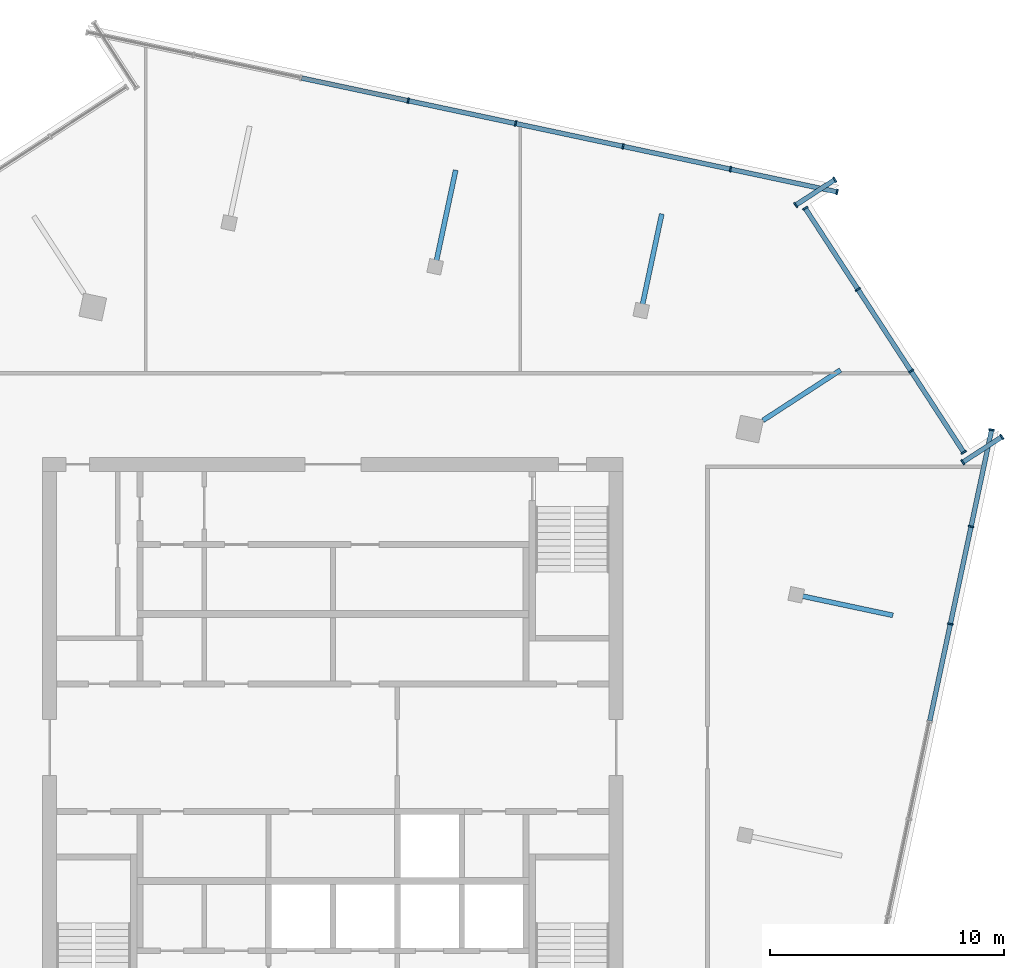
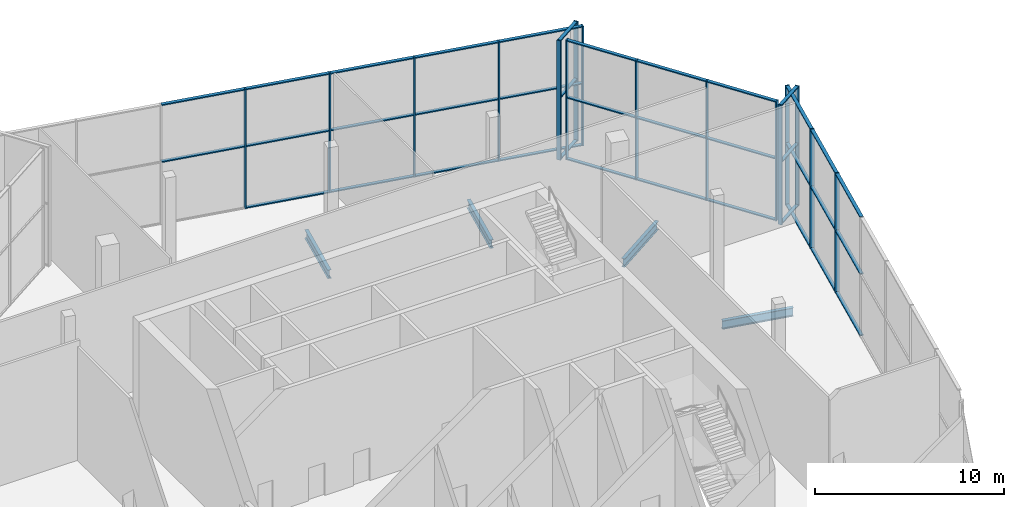
# One storey, part 6 of 14: 54 members, 4 beams, 5 elements without a shape of their own.
"""IFC4 building model written with IfcOpenShell, lengths in metres."""

from ifc_helpers import new_model, si_unit, direction, frame, origin, origin_2d, place, context, subcontext, project, spatial, rectangle, i_section, extrude, material, material_profile, profile_set, type_object, element, aggregate, save


model = new_model("IFC4")

# Units and contexts
model_context = context("Model", 3, precision=1e-05, world=origin(), true_north=direction((0.0, 1.0)))
body_context = subcontext(model_context, "Body", "Model", "MODEL_VIEW")
ifc_project = project(units=[si_unit("LENGTHUNIT", "METRE"), si_unit("AREAUNIT", "SQUARE_METRE"), si_unit("VOLUMEUNIT", "CUBIC_METRE"), si_unit("PLANEANGLEUNIT", "RADIAN"), si_unit("MASSUNIT", "GRAM", prefix="KILO")], contexts=[model_context])

# Site, building, storey
site_placement = place(None, origin())
site = spatial("IfcSite", under=ifc_project, at=site_placement, CompositionType="ELEMENT")
building_placement = place(site_placement, origin())
building = spatial("IfcBuilding", under=site, at=building_placement, Name="Dilmun Exchange Tower", CompositionType="ELEMENT")
storey_placement = place(building_placement, frame((0.0, 0.0, 350.10009765625)))
storey = spatial("IfcBuildingStorey", under=building, at=storey_placement, Name="Crown L83", CompositionType="ELEMENT", Elevation=350.10009765625)

# Curtain wall, members
ifc_material_1 = material(Name="Anodised aluminium and clear glass", Category="aluminium")
curtain_wall_type = type_object("IfcCurtainWallType", Name="Damper floor glazing", PredefinedType="NOTDEFINED", material=ifc_material_1)
curtain_wall_1_placement = place(storey_placement, origin())
curtain_wall_1 = element("IfcCurtainWall", 1, at=curtain_wall_1_placement, inside=storey, type_object=curtain_wall_type, Name="Damper floor glazing run DG7", PredefinedType="NOTDEFINED")
ifc_material_2 = material(Name="Anodised aluminium", Category="aluminium")
ifc_material_profile_1 = material_profile(ifc_material_2, rectangle(XDim=0.239990234375, YDim=0.070068359375, at=origin_2d()), Name="AL 70x240")
ifc_profile_set_1 = profile_set([ifc_material_profile_1], Name="Anodised aluminium")
member_type_1 = type_object("IfcMemberType", Name="Damper floor glazing mullion 70 x 240", PredefinedType="MULLION", material=ifc_profile_set_1)
member_1_placement = place(storey_placement, frame((26.37353515625, 5.277099609375, 0.0), z_axis=(0.0, 0.0, 1.0), x_axis=(-0.978147396203, 0.207912653058, 0.0)))
member_1 = element("IfcMember", 2, at=member_1_placement, type_object=member_type_1, Name="DG7 mullion 8", PredefinedType="MULLION", context=body_context, shape_type="SweptSolid", body=[
    extrude(rectangle(XDim=0.239990234375, YDim=0.070068359375, at=origin_2d()), origin(), (0.0, 0.0, 1.0), 7.699951171875),
])
member_2_placement = place(storey_placement, frame((27.2587890625, 9.44189453125, 0.0), z_axis=(0.0, 0.0, 1.0), x_axis=(-0.978147396203, 0.207912653058, 0.0)))
member_2 = element("IfcMember", 3, at=member_2_placement, type_object=member_type_1, Name="DG7 mullion 9", PredefinedType="MULLION", context=body_context, shape_type="SweptSolid", body=[
    extrude(rectangle(XDim=0.239990234375, YDim=0.070068359375, at=origin_2d()), origin(), (0.0, 0.0, 1.0), 7.699951171875),
])
member_3_placement = place(storey_placement, frame((28.13671875, 13.57275390625, 0.0), z_axis=(0.0, 0.0, 1.0), x_axis=(-0.978147396203, 0.207912653058, 0.0)))
member_3 = element("IfcMember", 4, at=member_3_placement, type_object=member_type_1, Name="DG7 mullion 10", PredefinedType="MULLION", context=body_context, shape_type="SweptSolid", body=[
    extrude(rectangle(XDim=0.239990234375, YDim=0.070068359375, at=origin_2d()), origin(), (0.0, 0.0, 1.0), 7.699951171875),
])

curtain_wall_2_placement = place(storey_placement, origin())
curtain_wall_2 = element("IfcCurtainWall", 5, at=curtain_wall_2_placement, inside=storey, type_object=curtain_wall_type, Name="Damper floor glazing run DG8", PredefinedType="NOTDEFINED")
member_4_placement = place(storey_placement, frame((28.571533203125, 13.27392578125, 0.0), z_axis=(0.0, 0.0, 1.0), x_axis=(0.544653402669, -0.838661237307, 0.0)))
member_4 = element("IfcMember", 6, at=member_4_placement, type_object=member_type_1, Name="DG8 mullion 1", PredefinedType="MULLION", context=body_context, shape_type="SweptSolid", body=[
    extrude(rectangle(XDim=0.239990234375, YDim=0.070068359375, at=origin_2d()), origin(), (0.0, 0.0, 1.0), 7.699951171875),
])
member_5_placement = place(storey_placement, frame((26.905029296875, 12.191650390625, 0.0), z_axis=(0.0, 0.0, 1.0), x_axis=(0.544653402669, -0.838661237307, 0.0)))
member_5 = element("IfcMember", 7, at=member_5_placement, type_object=member_type_1, Name="DG8 mullion 2", PredefinedType="MULLION", context=body_context, shape_type="SweptSolid", body=[
    extrude(rectangle(XDim=0.239990234375, YDim=0.070068359375, at=origin_2d()), origin(), (0.0, 0.0, 1.0), 7.699951171875),
])

curtain_wall_3_placement = place(storey_placement, origin())
curtain_wall_3 = element("IfcCurtainWall", 8, at=curtain_wall_3_placement, inside=storey, type_object=curtain_wall_type, Name="Damper floor glazing run DG9", PredefinedType="NOTDEFINED")
member_6_placement = place(storey_placement, frame((26.94482421875, 12.616943359375, 0.0), z_axis=(0.0, 0.0, 1.0), x_axis=(-0.838668178887, -0.544642713825, 0.0)))
member_6 = element("IfcMember", 9, at=member_6_placement, type_object=member_type_1, Name="DG9 mullion 1", PredefinedType="MULLION", context=body_context, shape_type="SweptSolid", body=[
    extrude(rectangle(XDim=0.239990234375, YDim=0.070068359375, at=origin_2d()), origin(), (0.0, 0.0, 1.0), 7.699951171875),
])
member_7_placement = place(storey_placement, frame((24.694580078125, 16.08203125, 0.0), z_axis=(0.0, 0.0, 1.0), x_axis=(-0.838668178887, -0.544642713825, 0.0)))
member_7 = element("IfcMember", 10, at=member_7_placement, type_object=member_type_1, Name="DG9 mullion 2", PredefinedType="MULLION", context=body_context, shape_type="SweptSolid", body=[
    extrude(rectangle(XDim=0.239990234375, YDim=0.070068359375, at=origin_2d()), origin(), (0.0, 0.0, 1.0), 7.699951171875),
])
member_8_placement = place(storey_placement, frame((22.42529296875, 19.57666015625, 0.0), z_axis=(0.0, 0.0, 1.0), x_axis=(-0.838668178887, -0.544642713825, 0.0)))
member_8 = element("IfcMember", 11, at=member_8_placement, type_object=member_type_1, Name="DG9 mullion 3", PredefinedType="MULLION", context=body_context, shape_type="SweptSolid", body=[
    extrude(rectangle(XDim=0.239990234375, YDim=0.070068359375, at=origin_2d()), origin(), (0.0, 0.0, 1.0), 7.699951171875),
])
member_9_placement = place(storey_placement, frame((20.175048828125, 23.041748046875, 0.0), z_axis=(0.0, 0.0, 1.0), x_axis=(-0.838668178887, -0.544642713825, 0.0)))
member_9 = element("IfcMember", 12, at=member_9_placement, type_object=member_type_1, Name="DG9 mullion 4", PredefinedType="MULLION", context=body_context, shape_type="SweptSolid", body=[
    extrude(rectangle(XDim=0.239990234375, YDim=0.070068359375, at=origin_2d()), origin(), (0.0, 0.0, 1.0), 7.699951171875),
])

curtain_wall_4_placement = place(storey_placement, origin())
curtain_wall_4 = element("IfcCurtainWall", 13, at=curtain_wall_4_placement, inside=storey, type_object=curtain_wall_type, Name="Damper floor glazing run DG10", PredefinedType="NOTDEFINED")
member_10_placement = place(storey_placement, frame((19.770263671875, 23.178466796875, 0.0), z_axis=(0.0, 0.0, 1.0), x_axis=(-0.544619209645, 0.838683442358, 0.0)))
member_10 = element("IfcMember", 14, at=member_10_placement, type_object=member_type_1, Name="DG10 mullion 1", PredefinedType="MULLION", context=body_context, shape_type="SweptSolid", body=[
    extrude(rectangle(XDim=0.239990234375, YDim=0.070068359375, at=origin_2d()), origin(), (0.0, 0.0, 1.0), 7.699951171875),
])
member_11_placement = place(storey_placement, frame((21.436767578125, 24.260498046875, 0.0), z_axis=(0.0, 0.0, 1.0), x_axis=(-0.544619209645, 0.838683442358, 0.0)))
member_11 = element("IfcMember", 15, at=member_11_placement, type_object=member_type_1, Name="DG10 mullion 2", PredefinedType="MULLION", context=body_context, shape_type="SweptSolid", body=[
    extrude(rectangle(XDim=0.239990234375, YDim=0.070068359375, at=origin_2d()), origin(), (0.0, 0.0, 1.0), 7.699951171875),
])

curtain_wall_5_placement = place(storey_placement, origin())
curtain_wall_5 = element("IfcCurtainWall", 16, at=curtain_wall_5_placement, inside=storey, type_object=curtain_wall_type, Name="Damper floor glazing run DG11", PredefinedType="NOTDEFINED")
member_12_placement = place(storey_placement, frame((21.532958984375, 23.741943359375, 0.0), z_axis=(0.0, 0.0, 1.0), x_axis=(-0.20791117371, -0.978147710648, 0.0)))
member_12 = element("IfcMember", 17, at=member_12_placement, type_object=member_type_1, Name="DG11 mullion 1", PredefinedType="MULLION", context=body_context, shape_type="SweptSolid", body=[
    extrude(rectangle(XDim=0.239990234375, YDim=0.070068359375, at=origin_2d()), origin(), (0.0, 0.0, 1.0), 7.699951171875),
])
member_13_placement = place(storey_placement, frame((16.979248046875, 24.709716796875, 0.0), z_axis=(0.0, 0.0, 1.0), x_axis=(-0.20791117371, -0.978147710648, 0.0)))
member_13 = element("IfcMember", 18, at=member_13_placement, type_object=member_type_1, Name="DG11 mullion 2", PredefinedType="MULLION", context=body_context, shape_type="SweptSolid", body=[
    extrude(rectangle(XDim=0.239990234375, YDim=0.070068359375, at=origin_2d()), origin(), (0.0, 0.0, 1.0), 7.699951171875),
])
member_14_placement = place(storey_placement, frame((12.391357421875, 25.68505859375, 0.0), z_axis=(0.0, 0.0, 1.0), x_axis=(-0.20791117371, -0.978147710648, 0.0)))
member_14 = element("IfcMember", 19, at=member_14_placement, type_object=member_type_1, Name="DG11 mullion 3", PredefinedType="MULLION", context=body_context, shape_type="SweptSolid", body=[
    extrude(rectangle(XDim=0.239990234375, YDim=0.070068359375, at=origin_2d()), origin(), (0.0, 0.0, 1.0), 7.699951171875),
])
member_15_placement = place(storey_placement, frame((7.803466796875, 26.66015625, 0.0), z_axis=(0.0, 0.0, 1.0), x_axis=(-0.20791117371, -0.978147710648, 0.0)))
member_15 = element("IfcMember", 20, at=member_15_placement, type_object=member_type_1, Name="DG11 mullion 4", PredefinedType="MULLION", context=body_context, shape_type="SweptSolid", body=[
    extrude(rectangle(XDim=0.239990234375, YDim=0.070068359375, at=origin_2d()), origin(), (0.0, 0.0, 1.0), 7.699951171875),
])
member_16_placement = place(storey_placement, frame((3.215576171875, 27.63525390625, 0.0), z_axis=(0.0, 0.0, 1.0), x_axis=(-0.20791117371, -0.978147710648, 0.0)))
member_16 = element("IfcMember", 21, at=member_16_placement, type_object=member_type_1, Name="DG11 mullion 5", PredefinedType="MULLION", context=body_context, shape_type="SweptSolid", body=[
    extrude(rectangle(XDim=0.239990234375, YDim=0.070068359375, at=origin_2d()), origin(), (0.0, 0.0, 1.0), 7.699951171875),
])

# Member
ifc_material_profile_2 = material_profile(ifc_material_2, rectangle(XDim=0.199951171875, YDim=0.070068359375, at=origin_2d()), Name="AL 70x200")
ifc_profile_set_2 = profile_set([ifc_material_profile_2], Name="Anodised aluminium")
member_type_2 = type_object("IfcMemberType", Name="Damper floor glazing transom 70 x 200", PredefinedType="USERDEFINED", material=ifc_profile_set_2)
member_17_placement = place(storey_placement, frame((25.495361328125, 1.146240234375, 0.034912109375), z_axis=(0.207940328818, 0.978141513101, 0.0), x_axis=(-0.978141513101, 0.207940328818, 0.0)))
member_17 = element("IfcMember", 22, at=member_17_placement, type_object=member_type_2, Name="DG7 transom 7.1", ObjectType="TRANSOM", PredefinedType="USERDEFINED", context=body_context, shape_type="SweptSolid", body=[
    extrude(rectangle(XDim=0.199951171875, YDim=0.070068359375, at=origin_2d()), origin(), (0.0, 0.0, 1.0), 4.18798828125),
])

member_18_placement = place(storey_placement, frame((25.495361328125, 1.146240234375, 4.0), z_axis=(0.207940328818, 0.978141513101, 0.0), x_axis=(-0.978141513101, 0.207940328818, 0.0)))
member_18 = element("IfcMember", 23, at=member_18_placement, type_object=member_type_2, Name="DG7 transom 7.2", ObjectType="TRANSOM", PredefinedType="USERDEFINED", context=body_context, shape_type="SweptSolid", body=[
    extrude(rectangle(XDim=0.199951171875, YDim=0.070068359375, at=origin_2d()), origin(), (0.0, 0.0, 1.0), 4.18798828125),
])

member_19_placement = place(storey_placement, frame((25.495361328125, 1.146240234375, 7.664794921875), z_axis=(0.207940328818, 0.978141513101, 0.0), x_axis=(-0.978141513101, 0.207940328818, 0.0)))
member_19 = element("IfcMember", 24, at=member_19_placement, type_object=member_type_2, Name="DG7 transom 7.3", ObjectType="TRANSOM", PredefinedType="USERDEFINED", context=body_context, shape_type="SweptSolid", body=[
    extrude(rectangle(XDim=0.199951171875, YDim=0.070068359375, at=origin_2d()), origin(), (0.0, 0.0, 1.0), 4.18798828125),
])

member_20_placement = place(storey_placement, frame((26.380859375, 5.311279296875, 0.034912109375), z_axis=(0.207884552878, 0.978153368688, 0.0), x_axis=(-0.978153368688, 0.207884552878, 0.0)))
member_20 = element("IfcMember", 25, at=member_20_placement, type_object=member_type_2, Name="DG7 transom 8.1", ObjectType="TRANSOM", PredefinedType="USERDEFINED", context=body_context, shape_type="SweptSolid", body=[
    extrude(rectangle(XDim=0.199951171875, YDim=0.070068359375, at=origin_2d()), origin(), (0.0, 0.0, 1.0), 4.18798828125),
])

member_21_placement = place(storey_placement, frame((26.380859375, 5.311279296875, 4.0), z_axis=(0.207884552878, 0.978153368688, 0.0), x_axis=(-0.978153368688, 0.207884552878, 0.0)))
member_21 = element("IfcMember", 26, at=member_21_placement, type_object=member_type_2, Name="DG7 transom 8.2", ObjectType="TRANSOM", PredefinedType="USERDEFINED", context=body_context, shape_type="SweptSolid", body=[
    extrude(rectangle(XDim=0.199951171875, YDim=0.070068359375, at=origin_2d()), origin(), (0.0, 0.0, 1.0), 4.18798828125),
])

member_22_placement = place(storey_placement, frame((26.380859375, 5.311279296875, 7.664794921875), z_axis=(0.207884552878, 0.978153368688, 0.0), x_axis=(-0.978153368688, 0.207884552878, 0.0)))
member_22 = element("IfcMember", 27, at=member_22_placement, type_object=member_type_2, Name="DG7 transom 8.3", ObjectType="TRANSOM", PredefinedType="USERDEFINED", context=body_context, shape_type="SweptSolid", body=[
    extrude(rectangle(XDim=0.199951171875, YDim=0.070068359375, at=origin_2d()), origin(), (0.0, 0.0, 1.0), 4.18798828125),
])

member_23_placement = place(storey_placement, frame((27.26611328125, 9.476318359375, 0.034912109375), z_axis=(0.20792695404, 0.978144356311, 0.0), x_axis=(-0.978144356311, 0.20792695404, 0.0)))
member_23 = element("IfcMember", 28, at=member_23_placement, type_object=member_type_2, Name="DG7 transom 9.1", ObjectType="TRANSOM", PredefinedType="USERDEFINED", context=body_context, shape_type="SweptSolid", body=[
    extrude(rectangle(XDim=0.199951171875, YDim=0.070068359375, at=origin_2d()), origin(), (0.0, 0.0, 1.0), 4.153076171875),
])

member_24_placement = place(storey_placement, frame((27.26611328125, 9.476318359375, 4.0), z_axis=(0.20792695404, 0.978144356311, 0.0), x_axis=(-0.978144356311, 0.20792695404, 0.0)))
member_24 = element("IfcMember", 29, at=member_24_placement, type_object=member_type_2, Name="DG7 transom 9.2", ObjectType="TRANSOM", PredefinedType="USERDEFINED", context=body_context, shape_type="SweptSolid", body=[
    extrude(rectangle(XDim=0.199951171875, YDim=0.070068359375, at=origin_2d()), origin(), (0.0, 0.0, 1.0), 4.153076171875),
])

member_25_placement = place(storey_placement, frame((27.26611328125, 9.476318359375, 7.664794921875), z_axis=(0.20792695404, 0.978144356311, 0.0), x_axis=(-0.978144356311, 0.20792695404, 0.0)))
member_25 = element("IfcMember", 30, at=member_25_placement, type_object=member_type_2, Name="DG7 transom 9.3", ObjectType="TRANSOM", PredefinedType="USERDEFINED", context=body_context, shape_type="SweptSolid", body=[
    extrude(rectangle(XDim=0.199951171875, YDim=0.070068359375, at=origin_2d()), origin(), (0.0, 0.0, 1.0), 4.153076171875),
])

aggregate(curtain_wall_1, [member_1, member_2, member_3, member_17, member_18, member_19, member_20, member_21, member_22, member_23, member_24, member_25])

member_26_placement = place(storey_placement, frame((28.542236328125, 13.2548828125, 0.034912109375), z_axis=(-0.838728640731, -0.544549600329, 0.0), x_axis=(0.544549600329, -0.838728640731, 0.0)))
member_26 = element("IfcMember", 31, at=member_26_placement, type_object=member_type_2, Name="DG8 transom 1.1", ObjectType="TRANSOM", PredefinedType="USERDEFINED", context=body_context, shape_type="SweptSolid", body=[
    extrude(rectangle(XDim=0.199951171875, YDim=0.070068359375, at=origin_2d()), origin(), (0.0, 0.0, 1.0), 1.9169921875),
])

member_27_placement = place(storey_placement, frame((28.542236328125, 13.2548828125, 4.0), z_axis=(-0.838728640731, -0.544549600329, 0.0), x_axis=(0.544549600329, -0.838728640731, 0.0)))
member_27 = element("IfcMember", 32, at=member_27_placement, type_object=member_type_2, Name="DG8 transom 1.2", ObjectType="TRANSOM", PredefinedType="USERDEFINED", context=body_context, shape_type="SweptSolid", body=[
    extrude(rectangle(XDim=0.199951171875, YDim=0.070068359375, at=origin_2d()), origin(), (0.0, 0.0, 1.0), 1.9169921875),
])

member_28_placement = place(storey_placement, frame((28.542236328125, 13.2548828125, 7.664794921875), z_axis=(-0.838728640731, -0.544549600329, 0.0), x_axis=(0.544549600329, -0.838728640731, 0.0)))
member_28 = element("IfcMember", 33, at=member_28_placement, type_object=member_type_2, Name="DG8 transom 1.3", ObjectType="TRANSOM", PredefinedType="USERDEFINED", context=body_context, shape_type="SweptSolid", body=[
    extrude(rectangle(XDim=0.199951171875, YDim=0.070068359375, at=origin_2d()), origin(), (0.0, 0.0, 1.0), 1.9169921875),
])

aggregate(curtain_wall_2, [member_4, member_5, member_26, member_27, member_28])

member_29_placement = place(storey_placement, frame((26.92578125, 12.646484375, 0.034912109375), z_axis=(-0.544658705871, 0.838657793214, 0.0), x_axis=(-0.838657793214, -0.544658705871, 0.0)))
member_29 = element("IfcMember", 34, at=member_29_placement, type_object=member_type_2, Name="DG9 transom 1.1", ObjectType="TRANSOM", PredefinedType="USERDEFINED", context=body_context, shape_type="SweptSolid", body=[
    extrude(rectangle(XDim=0.199951171875, YDim=0.070068359375, at=origin_2d()), origin(), (0.0, 0.0, 1.0), 4.0615234375),
])

member_30_placement = place(storey_placement, frame((26.92578125, 12.646484375, 4.0), z_axis=(-0.544658705871, 0.838657793214, 0.0), x_axis=(-0.838657793214, -0.544658705871, 0.0)))
member_30 = element("IfcMember", 35, at=member_30_placement, type_object=member_type_2, Name="DG9 transom 1.2", ObjectType="TRANSOM", PredefinedType="USERDEFINED", context=body_context, shape_type="SweptSolid", body=[
    extrude(rectangle(XDim=0.199951171875, YDim=0.070068359375, at=origin_2d()), origin(), (0.0, 0.0, 1.0), 4.0615234375),
])

member_31_placement = place(storey_placement, frame((26.92578125, 12.646484375, 7.664794921875), z_axis=(-0.544658705871, 0.838657793214, 0.0), x_axis=(-0.838657793214, -0.544658705871, 0.0)))
member_31 = element("IfcMember", 36, at=member_31_placement, type_object=member_type_2, Name="DG9 transom 1.3", ObjectType="TRANSOM", PredefinedType="USERDEFINED", context=body_context, shape_type="SweptSolid", body=[
    extrude(rectangle(XDim=0.199951171875, YDim=0.070068359375, at=origin_2d()), origin(), (0.0, 0.0, 1.0), 4.0615234375),
])

member_32_placement = place(storey_placement, frame((24.675537109375, 16.111572265625, 0.034912109375), z_axis=(-0.544661518008, 0.83865596689, 0.0), x_axis=(-0.83865596689, -0.544661518008, 0.0)))
member_32 = element("IfcMember", 37, at=member_32_placement, type_object=member_type_2, Name="DG9 transom 2.1", ObjectType="TRANSOM", PredefinedType="USERDEFINED", context=body_context, shape_type="SweptSolid", body=[
    extrude(rectangle(XDim=0.199951171875, YDim=0.070068359375, at=origin_2d()), origin(), (0.0, 0.0, 1.0), 4.096435546875),
])

member_33_placement = place(storey_placement, frame((24.675537109375, 16.111572265625, 4.0), z_axis=(-0.544661518008, 0.83865596689, 0.0), x_axis=(-0.83865596689, -0.544661518008, 0.0)))
member_33 = element("IfcMember", 38, at=member_33_placement, type_object=member_type_2, Name="DG9 transom 2.2", ObjectType="TRANSOM", PredefinedType="USERDEFINED", context=body_context, shape_type="SweptSolid", body=[
    extrude(rectangle(XDim=0.199951171875, YDim=0.070068359375, at=origin_2d()), origin(), (0.0, 0.0, 1.0), 4.096435546875),
])

member_34_placement = place(storey_placement, frame((24.675537109375, 16.111572265625, 7.664794921875), z_axis=(-0.544661518008, 0.83865596689, 0.0), x_axis=(-0.83865596689, -0.544661518008, 0.0)))
member_34 = element("IfcMember", 39, at=member_34_placement, type_object=member_type_2, Name="DG9 transom 2.3", ObjectType="TRANSOM", PredefinedType="USERDEFINED", context=body_context, shape_type="SweptSolid", body=[
    extrude(rectangle(XDim=0.199951171875, YDim=0.070068359375, at=origin_2d()), origin(), (0.0, 0.0, 1.0), 4.096435546875),
])

member_35_placement = place(storey_placement, frame((22.40625, 19.60595703125, 0.034912109375), z_axis=(-0.544658705871, 0.838657793214, 0.0), x_axis=(-0.838657793214, -0.544658705871, 0.0)))
member_35 = element("IfcMember", 40, at=member_35_placement, type_object=member_type_2, Name="DG9 transom 3.1", ObjectType="TRANSOM", PredefinedType="USERDEFINED", context=body_context, shape_type="SweptSolid", body=[
    extrude(rectangle(XDim=0.199951171875, YDim=0.070068359375, at=origin_2d()), origin(), (0.0, 0.0, 1.0), 4.0615234375),
])

member_36_placement = place(storey_placement, frame((22.40625, 19.60595703125, 4.0), z_axis=(-0.544658705871, 0.838657793214, 0.0), x_axis=(-0.838657793214, -0.544658705871, 0.0)))
member_36 = element("IfcMember", 41, at=member_36_placement, type_object=member_type_2, Name="DG9 transom 3.2", ObjectType="TRANSOM", PredefinedType="USERDEFINED", context=body_context, shape_type="SweptSolid", body=[
    extrude(rectangle(XDim=0.199951171875, YDim=0.070068359375, at=origin_2d()), origin(), (0.0, 0.0, 1.0), 4.0615234375),
])

member_37_placement = place(storey_placement, frame((22.40625, 19.60595703125, 7.664794921875), z_axis=(-0.544658705871, 0.838657793214, 0.0), x_axis=(-0.838657793214, -0.544658705871, 0.0)))
member_37 = element("IfcMember", 42, at=member_37_placement, type_object=member_type_2, Name="DG9 transom 3.3", ObjectType="TRANSOM", PredefinedType="USERDEFINED", context=body_context, shape_type="SweptSolid", body=[
    extrude(rectangle(XDim=0.199951171875, YDim=0.070068359375, at=origin_2d()), origin(), (0.0, 0.0, 1.0), 4.0615234375),
])

aggregate(curtain_wall_3, [member_6, member_7, member_8, member_9, member_29, member_30, member_31, member_32, member_33, member_34, member_35, member_36, member_37])

member_38_placement = place(storey_placement, frame((19.799560546875, 23.197509765625, 0.034912109375), z_axis=(0.838728640731, 0.544549600329, 0.0), x_axis=(-0.544549600329, 0.838728640731, 0.0)))
member_38 = element("IfcMember", 43, at=member_38_placement, type_object=member_type_2, Name="DG10 transom 1.1", ObjectType="TRANSOM", PredefinedType="USERDEFINED", context=body_context, shape_type="SweptSolid", body=[
    extrude(rectangle(XDim=0.199951171875, YDim=0.070068359375, at=origin_2d()), origin(), (0.0, 0.0, 1.0), 1.9169921875),
])

member_39_placement = place(storey_placement, frame((19.799560546875, 23.197509765625, 4.0), z_axis=(0.838728640731, 0.544549600329, 0.0), x_axis=(-0.544549600329, 0.838728640731, 0.0)))
member_39 = element("IfcMember", 44, at=member_39_placement, type_object=member_type_2, Name="DG10 transom 1.2", ObjectType="TRANSOM", PredefinedType="USERDEFINED", context=body_context, shape_type="SweptSolid", body=[
    extrude(rectangle(XDim=0.199951171875, YDim=0.070068359375, at=origin_2d()), origin(), (0.0, 0.0, 1.0), 1.9169921875),
])

member_40_placement = place(storey_placement, frame((19.799560546875, 23.197509765625, 7.664794921875), z_axis=(0.838728640731, 0.544549600329, 0.0), x_axis=(-0.544549600329, 0.838728640731, 0.0)))
member_40 = element("IfcMember", 45, at=member_40_placement, type_object=member_type_2, Name="DG10 transom 1.3", ObjectType="TRANSOM", PredefinedType="USERDEFINED", context=body_context, shape_type="SweptSolid", body=[
    extrude(rectangle(XDim=0.199951171875, YDim=0.070068359375, at=origin_2d()), origin(), (0.0, 0.0, 1.0), 1.9169921875),
])

aggregate(curtain_wall_4, [member_10, member_11, member_38, member_39, member_40])

member_41_placement = place(storey_placement, frame((21.498779296875, 23.749267578125, 0.034912109375), z_axis=(-0.978159392168, 0.207856208743, 0.0), x_axis=(-0.207856208743, -0.978159392168, 0.0)))
member_41 = element("IfcMember", 46, at=member_41_placement, type_object=member_type_2, Name="DG11 transom 1.1", ObjectType="TRANSOM", PredefinedType="USERDEFINED", context=body_context, shape_type="SweptSolid", body=[
    extrude(rectangle(XDim=0.199951171875, YDim=0.070068359375, at=origin_2d()), origin(), (0.0, 0.0, 1.0), 4.58544921875),
])

member_42_placement = place(storey_placement, frame((21.498779296875, 23.749267578125, 4.0), z_axis=(-0.978159392168, 0.207856208743, 0.0), x_axis=(-0.207856208743, -0.978159392168, 0.0)))
member_42 = element("IfcMember", 47, at=member_42_placement, type_object=member_type_2, Name="DG11 transom 1.2", ObjectType="TRANSOM", PredefinedType="USERDEFINED", context=body_context, shape_type="SweptSolid", body=[
    extrude(rectangle(XDim=0.199951171875, YDim=0.070068359375, at=origin_2d()), origin(), (0.0, 0.0, 1.0), 4.58544921875),
])

member_43_placement = place(storey_placement, frame((21.498779296875, 23.749267578125, 7.664794921875), z_axis=(-0.978159392168, 0.207856208743, 0.0), x_axis=(-0.207856208743, -0.978159392168, 0.0)))
member_43 = element("IfcMember", 48, at=member_43_placement, type_object=member_type_2, Name="DG11 transom 1.3", ObjectType="TRANSOM", PredefinedType="USERDEFINED", context=body_context, shape_type="SweptSolid", body=[
    extrude(rectangle(XDim=0.199951171875, YDim=0.070068359375, at=origin_2d()), origin(), (0.0, 0.0, 1.0), 4.58544921875),
])

member_44_placement = place(storey_placement, frame((16.945068359375, 24.717041015625, 0.034912109375), z_axis=(-0.978145957364, 0.207919422117, 0.0), x_axis=(-0.207919422117, -0.978145957364, 0.0)))
member_44 = element("IfcMember", 49, at=member_44_placement, type_object=member_type_2, Name="DG11 transom 2.1", ObjectType="TRANSOM", PredefinedType="USERDEFINED", context=body_context, shape_type="SweptSolid", body=[
    extrude(rectangle(XDim=0.199951171875, YDim=0.070068359375, at=origin_2d()), origin(), (0.0, 0.0, 1.0), 4.62060546875),
])

member_45_placement = place(storey_placement, frame((16.945068359375, 24.717041015625, 4.0), z_axis=(-0.978145957364, 0.207919422117, 0.0), x_axis=(-0.207919422117, -0.978145957364, 0.0)))
member_45 = element("IfcMember", 50, at=member_45_placement, type_object=member_type_2, Name="DG11 transom 2.2", ObjectType="TRANSOM", PredefinedType="USERDEFINED", context=body_context, shape_type="SweptSolid", body=[
    extrude(rectangle(XDim=0.199951171875, YDim=0.070068359375, at=origin_2d()), origin(), (0.0, 0.0, 1.0), 4.62060546875),
])

member_46_placement = place(storey_placement, frame((16.945068359375, 24.717041015625, 7.664794921875), z_axis=(-0.978145957364, 0.207919422117, 0.0), x_axis=(-0.207919422117, -0.978145957364, 0.0)))
member_46 = element("IfcMember", 51, at=member_46_placement, type_object=member_type_2, Name="DG11 transom 2.3", ObjectType="TRANSOM", PredefinedType="USERDEFINED", context=body_context, shape_type="SweptSolid", body=[
    extrude(rectangle(XDim=0.199951171875, YDim=0.070068359375, at=origin_2d()), origin(), (0.0, 0.0, 1.0), 4.62060546875),
])

member_47_placement = place(storey_placement, frame((12.357177734375, 25.692138671875, 0.034912109375), z_axis=(-0.978145957364, 0.207919422117, 0.0), x_axis=(-0.207919422117, -0.978145957364, 0.0)))
member_47 = element("IfcMember", 52, at=member_47_placement, type_object=member_type_2, Name="DG11 transom 3.1", ObjectType="TRANSOM", PredefinedType="USERDEFINED", context=body_context, shape_type="SweptSolid", body=[
    extrude(rectangle(XDim=0.199951171875, YDim=0.070068359375, at=origin_2d()), origin(), (0.0, 0.0, 1.0), 4.62060546875),
])

member_48_placement = place(storey_placement, frame((12.357177734375, 25.692138671875, 4.0), z_axis=(-0.978145957364, 0.207919422117, 0.0), x_axis=(-0.207919422117, -0.978145957364, 0.0)))
member_48 = element("IfcMember", 53, at=member_48_placement, type_object=member_type_2, Name="DG11 transom 3.2", ObjectType="TRANSOM", PredefinedType="USERDEFINED", context=body_context, shape_type="SweptSolid", body=[
    extrude(rectangle(XDim=0.199951171875, YDim=0.070068359375, at=origin_2d()), origin(), (0.0, 0.0, 1.0), 4.62060546875),
])

member_49_placement = place(storey_placement, frame((12.357177734375, 25.692138671875, 7.664794921875), z_axis=(-0.978145957364, 0.207919422117, 0.0), x_axis=(-0.207919422117, -0.978145957364, 0.0)))
member_49 = element("IfcMember", 54, at=member_49_placement, type_object=member_type_2, Name="DG11 transom 3.3", ObjectType="TRANSOM", PredefinedType="USERDEFINED", context=body_context, shape_type="SweptSolid", body=[
    extrude(rectangle(XDim=0.199951171875, YDim=0.070068359375, at=origin_2d()), origin(), (0.0, 0.0, 1.0), 4.62060546875),
])

member_50_placement = place(storey_placement, frame((7.769287109375, 26.66748046875, 0.034912109375), z_axis=(-0.978145957364, 0.207919422117, 0.0), x_axis=(-0.207919422117, -0.978145957364, 0.0)))
member_50 = element("IfcMember", 55, at=member_50_placement, type_object=member_type_2, Name="DG11 transom 4.1", ObjectType="TRANSOM", PredefinedType="USERDEFINED", context=body_context, shape_type="SweptSolid", body=[
    extrude(rectangle(XDim=0.199951171875, YDim=0.070068359375, at=origin_2d()), origin(), (0.0, 0.0, 1.0), 4.62060546875),
])

member_51_placement = place(storey_placement, frame((7.769287109375, 26.66748046875, 4.0), z_axis=(-0.978145957364, 0.207919422117, 0.0), x_axis=(-0.207919422117, -0.978145957364, 0.0)))
member_51 = element("IfcMember", 56, at=member_51_placement, type_object=member_type_2, Name="DG11 transom 4.2", ObjectType="TRANSOM", PredefinedType="USERDEFINED", context=body_context, shape_type="SweptSolid", body=[
    extrude(rectangle(XDim=0.199951171875, YDim=0.070068359375, at=origin_2d()), origin(), (0.0, 0.0, 1.0), 4.62060546875),
])

member_52_placement = place(storey_placement, frame((7.769287109375, 26.66748046875, 7.664794921875), z_axis=(-0.978145957364, 0.207919422117, 0.0), x_axis=(-0.207919422117, -0.978145957364, 0.0)))
member_52 = element("IfcMember", 57, at=member_52_placement, type_object=member_type_2, Name="DG11 transom 4.3", ObjectType="TRANSOM", PredefinedType="USERDEFINED", context=body_context, shape_type="SweptSolid", body=[
    extrude(rectangle(XDim=0.199951171875, YDim=0.070068359375, at=origin_2d()), origin(), (0.0, 0.0, 1.0), 4.62060546875),
])

member_53_placement = place(storey_placement, frame((3.181396484375, 27.642578125, 4.0), z_axis=(-0.978145957364, 0.207919422117, 0.0), x_axis=(-0.207919422117, -0.978145957364, 0.0)))
member_53 = element("IfcMember", 58, at=member_53_placement, type_object=member_type_2, Name="DG11 transom 5.2", ObjectType="TRANSOM", PredefinedType="USERDEFINED", context=body_context, shape_type="SweptSolid", body=[
    extrude(rectangle(XDim=0.199951171875, YDim=0.070068359375, at=origin_2d()), origin(), (0.0, 0.0, 1.0), 4.62060546875),
])

member_54_placement = place(storey_placement, frame((3.181396484375, 27.642578125, 7.664794921875), z_axis=(-0.978145957364, 0.207919422117, 0.0), x_axis=(-0.207919422117, -0.978145957364, 0.0)))
member_54 = element("IfcMember", 59, at=member_54_placement, type_object=member_type_2, Name="DG11 transom 5.3", ObjectType="TRANSOM", PredefinedType="USERDEFINED", context=body_context, shape_type="SweptSolid", body=[
    extrude(rectangle(XDim=0.199951171875, YDim=0.070068359375, at=origin_2d()), origin(), (0.0, 0.0, 1.0), 4.62060546875),
])

aggregate(curtain_wall_5, [member_12, member_13, member_14, member_15, member_16, member_41, member_42, member_43, member_44, member_45, member_46, member_47, member_48, member_49, member_50, member_51, member_52, member_53, member_54])

# Beams
ifc_material_3 = material(Name="Steel S355", Category="steel")
ifc_material_profile_3 = material_profile(ifc_material_3, i_section(OverallWidth=0.2099609375, OverallDepth=0.550048828125, WebThickness=0.010986328125, FlangeThickness=0.01708984375, FilletRadius=0.02392578125, at=origin_2d()), Name="IPE 550")
ifc_profile_set_3 = profile_set([ifc_material_profile_3], Name="Steel S355")
beam_type = type_object("IfcBeamType", Name="crown cantilever beam IPE 550", PredefinedType="BEAM", material=ifc_profile_set_3)
beam_1_placement = place(storey_placement, frame((20.056884765625, 6.47119140625, -0.5751953125), z_axis=(0.978146596989, -0.207916413008, 0.0), x_axis=(0.207916413008, 0.978146596989, 0.0)))
element("IfcBeam", 60, at=beam_1_placement, inside=storey, type_object=beam_type, Name="Crown cantilever beam 12", PredefinedType="BEAM", context=body_context, shape_type="SweptSolid", body=[
    extrude(i_section(OverallWidth=0.2099609375, OverallDepth=0.550048828125, WebThickness=0.010986328125, FlangeThickness=0.01708984375, FilletRadius=0.02392578125, at=origin_2d()), origin(), (0.0, 0.0, 1.0), 3.9501953125),
])
beam_2_placement = place(storey_placement, frame((18.368408203125, 13.977294921875, -0.5751953125), z_axis=(0.838665249911, 0.544647223982, 0.0), x_axis=(-0.544647223982, 0.838665249911, 0.0)))
element("IfcBeam", 61, at=beam_2_placement, inside=storey, type_object=beam_type, Name="Crown cantilever beam 13", PredefinedType="BEAM", context=body_context, shape_type="SweptSolid", body=[
    extrude(i_section(OverallWidth=0.2099609375, OverallDepth=0.550048828125, WebThickness=0.010986328125, FlangeThickness=0.01708984375, FilletRadius=0.02392578125, at=origin_2d()), origin(), (0.0, 0.0, 1.0), 3.949951171875),
])
beam_3_placement = place(storey_placement, frame((13.225830078125, 18.93701171875, -0.5751953125), z_axis=(0.207916413008, 0.978146596989, 0.0), x_axis=(-0.978146596989, 0.207916413008, 0.0)))
element("IfcBeam", 62, at=beam_3_placement, inside=storey, type_object=beam_type, Name="Crown cantilever beam 14", PredefinedType="BEAM", context=body_context, shape_type="SweptSolid", body=[
    extrude(i_section(OverallWidth=0.2099609375, OverallDepth=0.550048828125, WebThickness=0.010986328125, FlangeThickness=0.01708984375, FilletRadius=0.02392578125, at=origin_2d()), origin(), (0.0, 0.0, 1.0), 3.9501953125),
])
beam_4_placement = place(storey_placement, frame((4.4228515625, 20.80810546875, -0.5751953125), z_axis=(0.20786984461, 0.978156494484, 0.0), x_axis=(-0.978156494484, 0.20786984461, 0.0)))
element("IfcBeam", 63, at=beam_4_placement, inside=storey, type_object=beam_type, Name="Crown cantilever beam 15", PredefinedType="BEAM", context=body_context, shape_type="SweptSolid", body=[
    extrude(i_section(OverallWidth=0.2099609375, OverallDepth=0.550048828125, WebThickness=0.010986328125, FlangeThickness=0.01708984375, FilletRadius=0.02392578125, at=origin_2d()), origin(), (0.0, 0.0, 1.0), 3.94970703125),
])

save(model, "model.ifc")
